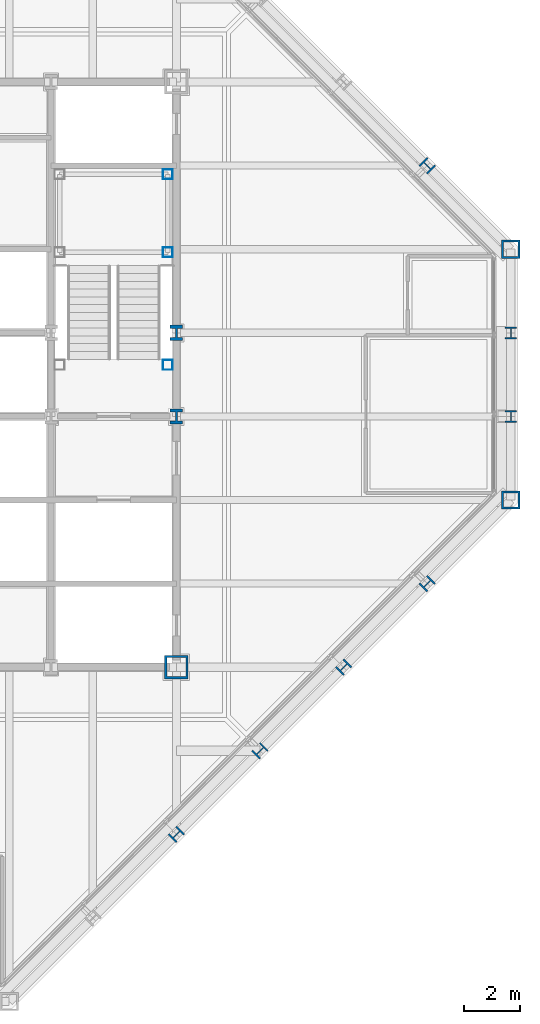
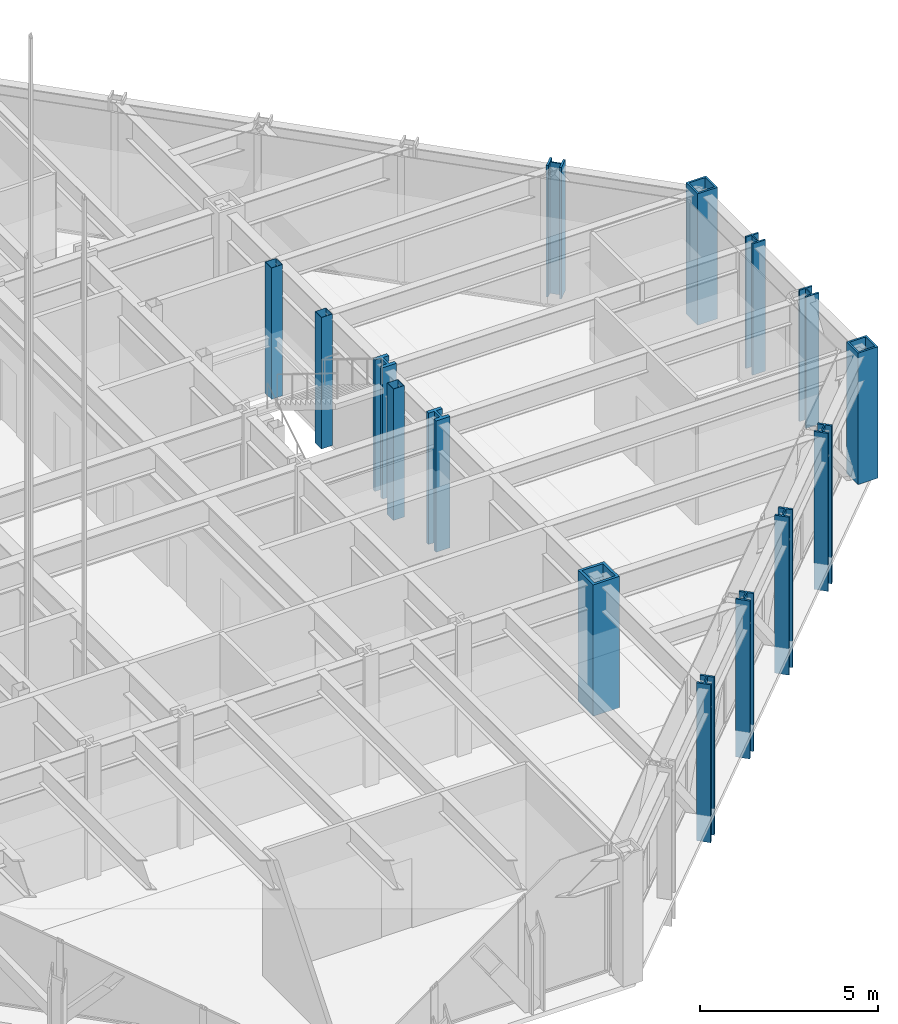
# One storey, part 3 of 24: 15 columns.
"""IFC4 building model written with IfcOpenShell, lengths in metres."""

from ifc_helpers import new_model, si_unit, direction, frame, origin, origin_2d, place, context, subcontext, project, spatial, hollow_rectangle, i_section, extrude, material, material_profile, profile_set, type_object, element, save


model = new_model("IFC4")

# Units and contexts
model_context = context("Model", 3, precision=1e-05, world=origin(), true_north=direction((0.0, 1.0)))
body_context = subcontext(model_context, "Body", "Model", "MODEL_VIEW")
ifc_project = project(units=[si_unit("LENGTHUNIT", "METRE"), si_unit("AREAUNIT", "SQUARE_METRE"), si_unit("VOLUMEUNIT", "CUBIC_METRE"), si_unit("PLANEANGLEUNIT", "RADIAN"), si_unit("MASSUNIT", "GRAM", prefix="KILO")], contexts=[model_context])

# Site, building, storey
site_placement = place(None, origin())
site = spatial("IfcSite", under=ifc_project, at=site_placement, CompositionType="ELEMENT")
building_placement = place(site_placement, origin())
building = spatial("IfcBuilding", under=site, at=building_placement, Name="Chuquiago Exchange Tower", CompositionType="ELEMENT")
storey_placement = place(building_placement, frame((0.0, 0.0, 257.699951171875)))
storey = spatial("IfcBuildingStorey", under=building, at=storey_placement, Name="L57", CompositionType="ELEMENT", Elevation=257.699951171875)

# Columns
ifc_material_1 = material(Name="Steel ASTM A992", Category="steel")
ifc_material_profile_1 = material_profile(ifc_material_1, i_section(OverallWidth=0.411376953125, OverallDepth=0.434326171875, WebThickness=0.035888671875, FlangeThickness=0.057373046875, at=origin_2d()), Name="W14X311")
ifc_profile_set_1 = profile_set([ifc_material_profile_1], Name="Steel ASTM A992")
column_type_1 = type_object("IfcColumnType", Name="C5 W14X311", PredefinedType="COLUMN", material=ifc_profile_set_1)
for number, where, z_axis, x_axis, name in (
    (1, (45.0, 21.0, 0.0), (0.0, 0.0, 1.0), (1.0, 0.0, 0.0), "COL-L57-45_21"),
    (2, (45.0, 24.0, 0.0), (0.0, 0.0, 1.0), (1.0, 0.0, 0.0), "COL-L57-45_24"),
):
    element("IfcColumn", number, at=place(storey_placement, frame(where, z_axis=z_axis, x_axis=x_axis)), inside=storey, type_object=column_type_1, Name=name, PredefinedType="COLUMN", context=body_context, shape_type="SweptSolid", body=[
        extrude(i_section(OverallWidth=0.411376953125, OverallDepth=0.434326171875, WebThickness=0.035888671875, FlangeThickness=0.057373046875, at=origin_2d()), origin(), (0.0, 0.0, 1.0), 4.5),
    ])
ifc_material_2 = material(Name="Steel ASTM A992", Category="steel")
ifc_material_profile_2 = material_profile(ifc_material_2, i_section(OverallWidth=0.449462890625, OverallDepth=0.548583984375, WebThickness=0.07177734375, FlangeThickness=0.11474609375, at=origin_2d()), Name="W14X665")
ifc_profile_set_2 = profile_set([ifc_material_profile_2], Name="Steel ASTM A992")
column_type_2 = type_object("IfcColumnType", Name="CC5 W14X665", PredefinedType="COLUMN", material=ifc_profile_set_2)
for number, where, z_axis, x_axis, name in (
    (3, (33.0, 21.0, 0.0), (0.0, 0.0, 1.0), (1.0, 0.0, 0.0), "CCOL-L57-33_21"),
    (4, (33.0, 24.0, 0.0), (0.0, 0.0, 1.0), (1.0, 0.0, 0.0), "CCOL-L57-33_24"),
):
    element("IfcColumn", number, at=place(storey_placement, frame(where, z_axis=z_axis, x_axis=x_axis)), inside=storey, type_object=column_type_2, Name=name, PredefinedType="COLUMN", context=body_context, shape_type="SweptSolid", body=[
        extrude(i_section(OverallWidth=0.449462890625, OverallDepth=0.548583984375, WebThickness=0.07177734375, FlangeThickness=0.11474609375, at=origin_2d()), origin(), (0.0, 0.0, 1.0), 4.5),
    ])
ifc_material_3 = material(Name="Steel ASTM A572 Grade 50", Category="steel")
ifc_material_profile_3 = material_profile(ifc_material_3, hollow_rectangle(XDim=0.85009765625, YDim=0.85009765625, WallThickness=0.0849609375, at=origin_2d()), Name="BOX850X850X85")
ifc_profile_set_3 = profile_set([ifc_material_profile_3], Name="Steel ASTM A572 Grade 50")
column_type_3 = type_object("IfcColumnType", Name="CC6 BOX850X850X85", PredefinedType="COLUMN", material=ifc_profile_set_3)
column_1_placement = place(storey_placement, frame((33.0, 12.0, 0.0), z_axis=(0.0, 0.0, 1.0), x_axis=(1.0, 0.0, 0.0)))
element("IfcColumn", 5, at=column_1_placement, inside=storey, type_object=column_type_3, Name="CCOL-L57-33_12", PredefinedType="COLUMN", context=body_context, shape_type="SweptSolid", body=[
    extrude(hollow_rectangle(XDim=0.85009765625, YDim=0.85009765625, WallThickness=0.0849609375, at=origin_2d()), origin(), (0.0, 0.0, 1.0), 4.5),
])
ifc_material_4 = material(Name="Steel ASTM A992", Category="steel")
ifc_material_profile_4 = material_profile(ifc_material_4, i_section(OverallWidth=0.41650390625, OverallDepth=0.444580078125, WebThickness=0.0390625, FlangeThickness=0.062744140625, at=origin_2d()), Name="W14X342")
ifc_profile_set_4 = profile_set([ifc_material_profile_4], Name="Steel ASTM A992")
column_type_4 = type_object("IfcColumnType", Name="CK5 W14X342", PredefinedType="COLUMN", material=ifc_profile_set_4)
for number, where, z_axis, x_axis, name in (
    (6, (33.0, 6.0, -0.909912109375), (0.0, 0.0, 1.0), (0.707106781187, -0.707106781187, 0.0), "COL-L57-33_6"),
    (7, (36.0, 9.0, -0.909912109375), (0.0, 0.0, 1.0), (0.707106781187, -0.707106781187, 0.0), "COL-L57-36_9"),
    (8, (39.0, 12.0, -0.909912109375), (0.0, 0.0, 1.0), (0.707106781187, -0.707106781187, 0.0), "COL-L57-39_12"),
    (9, (42.0, 15.0, -0.909912109375), (0.0, 0.0, 1.0), (0.707106781187, -0.707106781187, 0.0), "COL-L57-42_15"),
):
    element("IfcColumn", number, at=place(storey_placement, frame(where, z_axis=z_axis, x_axis=x_axis)), inside=storey, type_object=column_type_4, Name=name, PredefinedType="COLUMN", context=body_context, shape_type="SweptSolid", body=[
        extrude(i_section(OverallWidth=0.41650390625, OverallDepth=0.444580078125, WebThickness=0.0390625, FlangeThickness=0.062744140625, at=origin_2d()), origin(), (0.0, 0.0, 1.0), 5.409912109375),
    ])
column_2_placement = place(storey_placement, frame((42.0, 30.0, 0.0), z_axis=(0.0, 0.0, 1.0), x_axis=(0.707106781187, 0.707106781187, 0.0)))
element("IfcColumn", 10, at=column_2_placement, inside=storey, type_object=column_type_4, Name="COL-L57-42_30", PredefinedType="COLUMN", context=body_context, shape_type="SweptSolid", body=[
    extrude(i_section(OverallWidth=0.41650390625, OverallDepth=0.444580078125, WebThickness=0.0390625, FlangeThickness=0.062744140625, at=origin_2d()), origin(), (0.0, 0.0, 1.0), 4.5),
])
ifc_material_5 = material(Name="Steel ASTM A572 Grade 50", Category="steel")
ifc_material_profile_5 = material_profile(ifc_material_5, hollow_rectangle(XDim=0.64990234375, YDim=0.64990234375, WallThickness=0.06494140625, at=origin_2d()), Name="BOX650X650X65")
ifc_profile_set_5 = profile_set([ifc_material_profile_5], Name="Steel ASTM A572 Grade 50")
column_type_5 = type_object("IfcColumnType", Name="CN2 BOX650X650X65", PredefinedType="COLUMN", material=ifc_profile_set_5)
for number, where, z_axis, x_axis, name in (
    (11, (45.0, 18.0, 0.0), (0.0, 0.0, 1.0), (1.0, 0.0, 0.0), "COL-L57-45_18"),
    (12, (45.0, 27.0, 0.0), (0.0, 0.0, 1.0), (1.0, 0.0, 0.0), "COL-L57-45_27"),
):
    element("IfcColumn", number, at=place(storey_placement, frame(where, z_axis=z_axis, x_axis=x_axis)), inside=storey, type_object=column_type_5, Name=name, PredefinedType="COLUMN", context=body_context, shape_type="SweptSolid", body=[
        extrude(hollow_rectangle(XDim=0.64990234375, YDim=0.64990234375, WallThickness=0.06494140625, at=origin_2d()), origin(), (0.0, 0.0, 1.0), 4.5),
    ])
ifc_material_6 = material(Name="Steel ASTM A500 Grade C", Category="steel")
ifc_material_profile_6 = material_profile(ifc_material_6, hollow_rectangle(XDim=0.355712890625, YDim=0.355712890625, WallThickness=0.0087890625, at=origin_2d()), Name="HSS14X14X3/8")
ifc_profile_set_6 = profile_set([ifc_material_profile_6], Name="Steel ASTM A500 Grade C")
column_type_6 = type_object("IfcColumnType", Name="PT1 HSS14X14X3/8", PredefinedType="COLUMN", material=ifc_profile_set_6)
for number, where, z_axis, x_axis, name in (
    (13, (32.68994140625, 29.68994140625, 0.0), (0.0, 0.0, 1.0), (1.0, 0.0, 0.0), "Stair ST2 L57 landing post"),
    (14, (32.68994140625, 26.889892578125, 0.0), (0.0, 0.0, 1.0), (1.0, 0.0, 0.0), "Stair ST2 L57 landing post"),
    (15, (32.68994140625, 22.85009765625, 0.0), (0.0, 0.0, 1.0), (1.0, 0.0, 0.0), "Stair ST2 L57 landing post"),
):
    element("IfcColumn", number, at=place(storey_placement, frame(where, z_axis=z_axis, x_axis=x_axis)), inside=storey, type_object=column_type_6, Name=name, PredefinedType="COLUMN", context=body_context, shape_type="SweptSolid", body=[
        extrude(hollow_rectangle(XDim=0.355712890625, YDim=0.355712890625, WallThickness=0.0087890625, at=origin_2d()), origin(), (0.0, 0.0, 1.0), 4.5),
    ])

save(model, "model.ifc")
